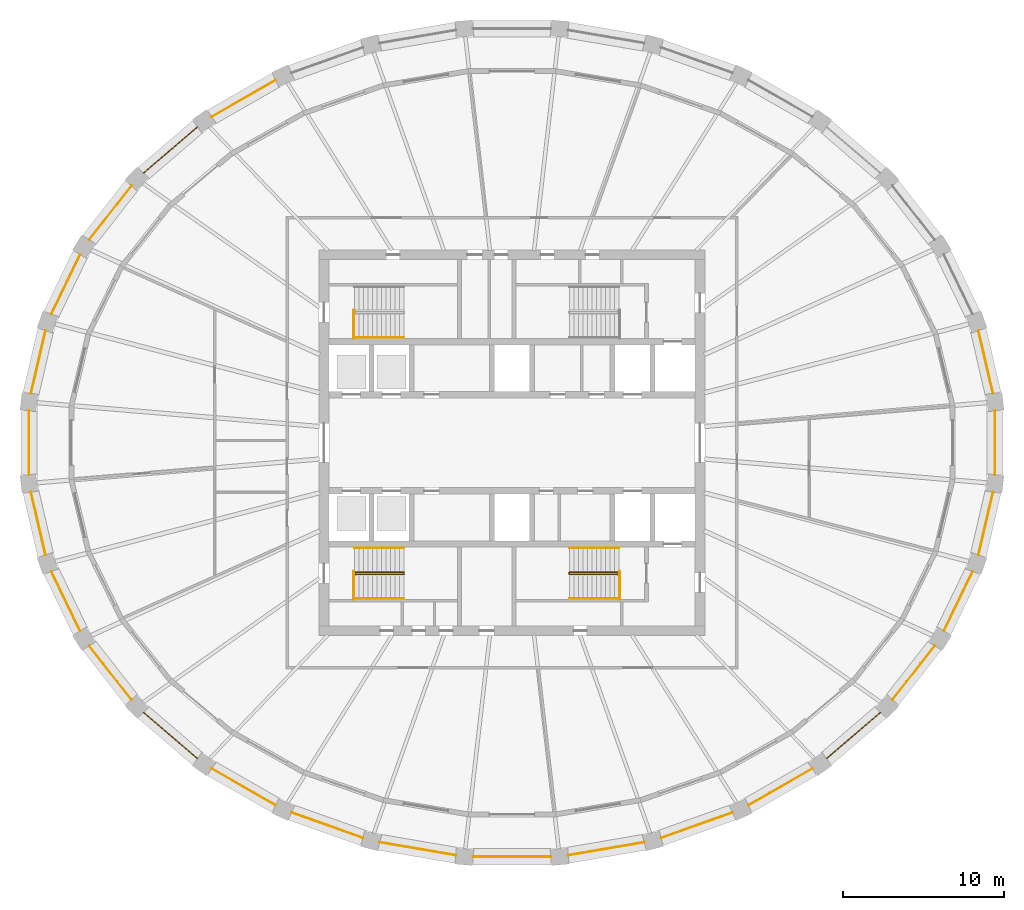
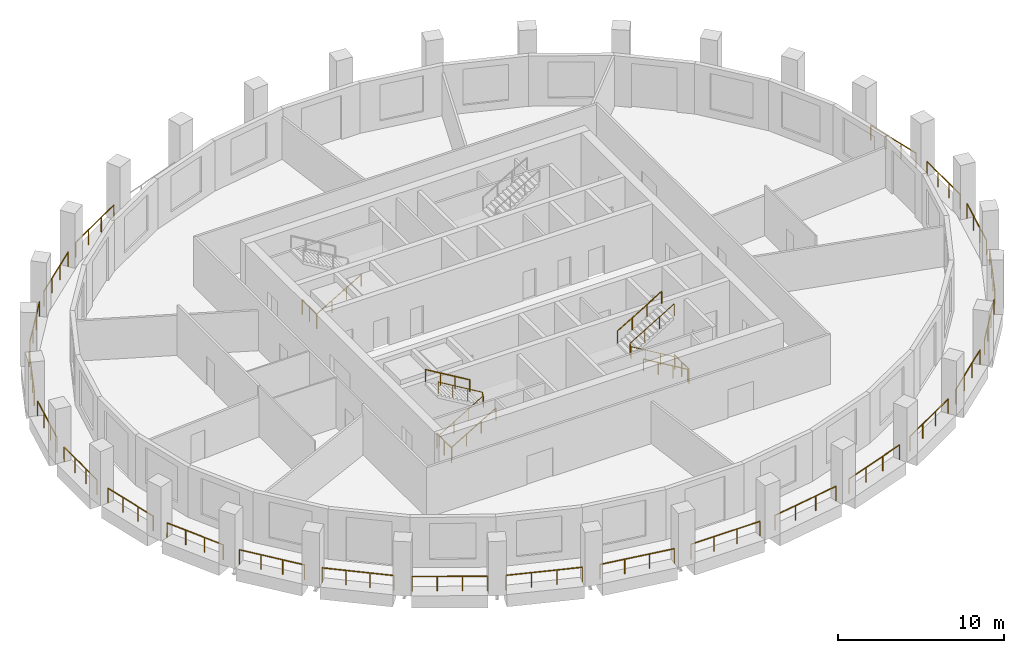
# One storey, part 8 of 10: 33 railings.
"""IFC4 building model written with IfcOpenShell, lengths in metres."""

from ifc_helpers import new_model, si_unit, direction, frame, origin, origin_2d, place, context, subcontext, project, spatial, circle, extrude, material, type_object, element, save


model = new_model("IFC4")

# Units and contexts
model_context = context("Model", 3, precision=1e-05, world=origin(), true_north=direction((0.0, 1.0)))
body_context = subcontext(model_context, "Body", "Model", "MODEL_VIEW")
ifc_project = project(units=[si_unit("LENGTHUNIT", "METRE"), si_unit("AREAUNIT", "SQUARE_METRE"), si_unit("VOLUMEUNIT", "CUBIC_METRE"), si_unit("PLANEANGLEUNIT", "RADIAN"), si_unit("MASSUNIT", "GRAM", prefix="KILO")], contexts=[model_context])

# Site, building, storey
site_placement = place(None, origin())
site = spatial("IfcSite", under=ifc_project, at=site_placement, CompositionType="ELEMENT")
building_placement = place(site_placement, origin())
building = spatial("IfcBuilding", under=site, at=building_placement, Name="Halqa Exchange Tower", CompositionType="ELEMENT")
storey_placement = place(building_placement, frame((0.0, 0.0, 256.300048828125)))
storey = spatial("IfcBuildingStorey", under=building, at=storey_placement, Name="L59", CompositionType="ELEMENT", Elevation=256.300048828125)

# Railings
ifc_material = material(Name="Stainless steel", Category="steel")
railing_type_1 = type_object("IfcRailingType", Name="Guard 1100 stainless steel", PredefinedType="GUARDRAIL", material=ifc_material)
railing_1_placement = place(storey_placement, frame((29.940673828125, 3.073974609375, 0.0)))
element("IfcRailing", 1, at=railing_1_placement, inside=storey, type_object=railing_type_1, Name="Loggia guard 1", PredefinedType="GUARDRAIL", context=body_context, shape_type="SweptSolid", body=[
    extrude(circle(Radius=0.02392578125, at=origin_2d()), frame((0.0, 0.0, 1.076171875), z_axis=(-0.226072980313, 0.974110367244, 0.0), x_axis=(-0.974110367244, -0.226072980313, 0.0)), (0.0, 0.0, 1.0), 4.0107421875),
    extrude(circle(Radius=0.02099609375, at=origin_2d()), origin(), (0.0, 0.0, 1.0), 1.052001953125),
    extrude(circle(Radius=0.02099609375, at=origin_2d()), frame((-0.30224609375, 1.30224609375, 0.0)), (0.0, 0.0, 1.0), 1.052001953125),
    extrude(circle(Radius=0.02099609375, at=origin_2d()), frame((-0.6044921875, 2.604736328125, 0.0)), (0.0, 0.0, 1.0), 1.052001953125),
    extrude(circle(Radius=0.02099609375, at=origin_2d()), frame((-0.90673828125, 3.906982421875, 0.0)), (0.0, 0.0, 1.0), 1.052001953125),
])
railing_2_placement = place(storey_placement, frame((-14.718505859375, 22.563720703125, 0.0)))
element("IfcRailing", 2, at=railing_2_placement, inside=storey, type_object=railing_type_1, Name="Loggia guard 11", PredefinedType="GUARDRAIL", context=body_context, shape_type="SweptSolid", body=[
    extrude(circle(Radius=0.02392578125, at=origin_2d()), frame((0.0, 0.0, 1.076171875), z_axis=(-0.867756640144, -0.496989349469, 0.0), x_axis=(0.496989349469, -0.867756640144, 0.0)), (0.0, 0.0, 1.0), 4.574462890625),
    extrude(circle(Radius=0.02099609375, at=origin_2d()), origin(), (0.0, 0.0, 1.0), 1.052001953125),
    extrude(circle(Radius=0.02099609375, at=origin_2d()), frame((-1.3232421875, -0.7578125, 0.0)), (0.0, 0.0, 1.0), 1.052001953125),
    extrude(circle(Radius=0.02099609375, at=origin_2d()), frame((-2.646240234375, -1.515625, 0.0)), (0.0, 0.0, 1.0), 1.052001953125),
    extrude(circle(Radius=0.02099609375, at=origin_2d()), frame((-3.969482421875, -2.2734375, 0.0)), (0.0, 0.0, 1.0), 1.052001953125),
])
railing_3_placement = place(storey_placement, frame((-19.5830078125, 19.658935546875, 0.0)))
element("IfcRailing", 3, at=railing_3_placement, inside=storey, type_object=railing_type_1, Name="Loggia guard 12", PredefinedType="GUARDRAIL", context=body_context, shape_type="SweptSolid", body=[
    extrude(circle(Radius=0.02392578125, at=origin_2d()), frame((0.0, 0.0, 1.076171875), z_axis=(-0.759240989742, -0.650809587741, 0.0), x_axis=(0.650809587741, -0.759240989742, 0.0)), (0.0, 0.0, 1.0), 4.415283203125),
    extrude(circle(Radius=0.02099609375, at=origin_2d()), origin(), (0.0, 0.0, 1.0), 1.052001953125),
    extrude(circle(Radius=0.02099609375, at=origin_2d()), frame((-1.117431640625, -0.957763671875, 0.0)), (0.0, 0.0, 1.0), 1.052001953125),
    extrude(circle(Radius=0.02099609375, at=origin_2d()), frame((-2.23486328125, -1.915771484375, 0.0)), (0.0, 0.0, 1.0), 1.052001953125),
    extrude(circle(Radius=0.02099609375, at=origin_2d()), frame((-3.352294921875, -2.87353515625, 0.0)), (0.0, 0.0, 1.0), 1.052001953125),
])
railing_4_placement = place(storey_placement, frame((-23.691162109375, 15.99365234375, 0.0)))
element("IfcRailing", 4, at=railing_4_placement, inside=storey, type_object=railing_type_1, Name="Loggia guard 13", PredefinedType="GUARDRAIL", context=body_context, shape_type="SweptSolid", body=[
    extrude(circle(Radius=0.02392578125, at=origin_2d()), frame((0.0, 0.0, 1.076171875), z_axis=(-0.614806859209, -0.788677707223, 0.0), x_axis=(0.788677707223, -0.614806859209, 0.0)), (0.0, 0.0, 1.0), 4.251708984375),
    extrude(circle(Radius=0.02099609375, at=origin_2d()), origin(), (0.0, 0.0, 1.0), 1.052001953125),
    extrude(circle(Radius=0.02099609375, at=origin_2d()), frame((-0.871337890625, -1.11767578125, 0.0)), (0.0, 0.0, 1.0), 1.052001953125),
    extrude(circle(Radius=0.02099609375, at=origin_2d()), frame((-1.74267578125, -2.235595703125, 0.0)), (0.0, 0.0, 1.0), 1.052001953125),
    extrude(circle(Radius=0.02099609375, at=origin_2d()), frame((-2.614013671875, -3.353271484375, 0.0)), (0.0, 0.0, 1.0), 1.052001953125),
])
railing_5_placement = place(storey_placement, frame((-26.882568359375, 11.71142578125, 0.0)))
element("IfcRailing", 5, at=railing_5_placement, inside=storey, type_object=railing_type_1, Name="Loggia guard 14", PredefinedType="GUARDRAIL", context=body_context, shape_type="SweptSolid", body=[
    extrude(circle(Radius=0.02392578125, at=origin_2d()), frame((0.0, 0.0, 1.076171875), z_axis=(-0.435122901851, -0.900371068107, 0.0), x_axis=(0.900371068107, -0.435122901851, 0.0)), (0.0, 0.0, 1.0), 4.10888671875),
    extrude(circle(Radius=0.02099609375, at=origin_2d()), origin(), (0.0, 0.0, 1.0), 1.052001953125),
    extrude(circle(Radius=0.02099609375, at=origin_2d()), frame((-0.595947265625, -1.233154296875, 0.0)), (0.0, 0.0, 1.0), 1.052001953125),
    extrude(circle(Radius=0.02099609375, at=origin_2d()), frame((-1.19189453125, -2.46630859375, 0.0)), (0.0, 0.0, 1.0), 1.052001953125),
    extrude(circle(Radius=0.02099609375, at=origin_2d()), frame((-1.787841796875, -3.699462890625, 0.0)), (0.0, 0.0, 1.0), 1.052001953125),
])
railing_6_placement = place(storey_placement, frame((-29.033935546875, 6.98095703125, 0.0)))
element("IfcRailing", 6, at=railing_6_placement, inside=storey, type_object=railing_type_1, Name="Loggia guard 15", PredefinedType="GUARDRAIL", context=body_context, shape_type="SweptSolid", body=[
    extrude(circle(Radius=0.02392578125, at=origin_2d()), frame((0.0, 0.0, 1.076171875), z_axis=(-0.226072980313, -0.974110367244, 0.0), x_axis=(0.974110367244, -0.226072980313, 0.0)), (0.0, 0.0, 1.0), 4.0107421875),
    extrude(circle(Radius=0.02099609375, at=origin_2d()), origin(), (0.0, 0.0, 1.0), 1.052001953125),
    extrude(circle(Radius=0.02099609375, at=origin_2d()), frame((-0.30224609375, -1.30224609375, 0.0)), (0.0, 0.0, 1.0), 1.052001953125),
    extrude(circle(Radius=0.02099609375, at=origin_2d()), frame((-0.6044921875, -2.604736328125, 0.0)), (0.0, 0.0, 1.0), 1.052001953125),
    extrude(circle(Radius=0.02099609375, at=origin_2d()), frame((-0.90673828125, -3.906982421875, 0.0)), (0.0, 0.0, 1.0), 1.052001953125),
])
railing_7_placement = place(storey_placement, frame((-30.06494140625, 1.988037109375, 0.0)))
element("IfcRailing", 7, at=railing_7_placement, inside=storey, type_object=railing_type_1, Name="Loggia guard 16", PredefinedType="GUARDRAIL", context=body_context, shape_type="SweptSolid", body=[
    extrude(circle(Radius=0.02392578125, at=origin_2d()), frame((0.0, 0.0, 1.076171875), z_axis=(0.0, -1.0, 0.0), x_axis=(1.0, 0.0, 0.0)), (0.0, 0.0, 1.0), 3.97607421875),
    extrude(circle(Radius=0.02099609375, at=origin_2d()), origin(), (0.0, 0.0, 1.0), 1.052001953125),
    extrude(circle(Radius=0.02099609375, at=origin_2d()), frame((0.0, -1.325439453125, 0.0)), (0.0, 0.0, 1.0), 1.052001953125),
    extrude(circle(Radius=0.02099609375, at=origin_2d()), frame((0.0, -2.650634765625, 0.0)), (0.0, 0.0, 1.0), 1.052001953125),
    extrude(circle(Radius=0.02099609375, at=origin_2d()), frame((0.0, -3.97607421875, 0.0)), (0.0, 0.0, 1.0), 1.052001953125),
])
railing_8_placement = place(storey_placement, frame((-29.940673828125, -3.073974609375, 0.0)))
element("IfcRailing", 8, at=railing_8_placement, inside=storey, type_object=railing_type_1, Name="Loggia guard 17", PredefinedType="GUARDRAIL", context=body_context, shape_type="SweptSolid", body=[
    extrude(circle(Radius=0.02392578125, at=origin_2d()), frame((0.0, 0.0, 1.076171875), z_axis=(0.226072980313, -0.974110367244, 0.0), x_axis=(0.974110367244, 0.226072980313, 0.0)), (0.0, 0.0, 1.0), 4.0107421875),
    extrude(circle(Radius=0.02099609375, at=origin_2d()), origin(), (0.0, 0.0, 1.0), 1.052001953125),
    extrude(circle(Radius=0.02099609375, at=origin_2d()), frame((0.30224609375, -1.30224609375, 0.0)), (0.0, 0.0, 1.0), 1.052001953125),
    extrude(circle(Radius=0.02099609375, at=origin_2d()), frame((0.6044921875, -2.604736328125, 0.0)), (0.0, 0.0, 1.0), 1.052001953125),
    extrude(circle(Radius=0.02099609375, at=origin_2d()), frame((0.90673828125, -3.906982421875, 0.0)), (0.0, 0.0, 1.0), 1.052001953125),
])
railing_9_placement = place(storey_placement, frame((-28.67041015625, -8.011962890625, 0.0)))
element("IfcRailing", 9, at=railing_9_placement, inside=storey, type_object=railing_type_1, Name="Loggia guard 18", PredefinedType="GUARDRAIL", context=body_context, shape_type="SweptSolid", body=[
    extrude(circle(Radius=0.02392578125, at=origin_2d()), frame((0.0, 0.0, 1.076171875), z_axis=(0.435122901851, -0.900371068107, 0.0), x_axis=(0.900371068107, 0.435122901851, 0.0)), (0.0, 0.0, 1.0), 4.10888671875),
    extrude(circle(Radius=0.02099609375, at=origin_2d()), origin(), (0.0, 0.0, 1.0), 1.052001953125),
    extrude(circle(Radius=0.02099609375, at=origin_2d()), frame((0.595947265625, -1.233154296875, 0.0)), (0.0, 0.0, 1.0), 1.052001953125),
    extrude(circle(Radius=0.02099609375, at=origin_2d()), frame((1.19189453125, -2.46630859375, 0.0)), (0.0, 0.0, 1.0), 1.052001953125),
    extrude(circle(Radius=0.02099609375, at=origin_2d()), frame((1.787841796875, -3.699462890625, 0.0)), (0.0, 0.0, 1.0), 1.052001953125),
])
railing_10_placement = place(storey_placement, frame((-26.30517578125, -12.640380859375, 0.0)))
element("IfcRailing", 10, at=railing_10_placement, inside=storey, type_object=railing_type_1, Name="Loggia guard 19", PredefinedType="GUARDRAIL", context=body_context, shape_type="SweptSolid", body=[
    extrude(circle(Radius=0.02392578125, at=origin_2d()), frame((0.0, 0.0, 1.076171875), z_axis=(0.614806859209, -0.788677707223, 0.0), x_axis=(0.788677707223, 0.614806859209, 0.0)), (0.0, 0.0, 1.0), 4.251708984375),
    extrude(circle(Radius=0.02099609375, at=origin_2d()), origin(), (0.0, 0.0, 1.0), 1.052001953125),
    extrude(circle(Radius=0.02099609375, at=origin_2d()), frame((0.871337890625, -1.11767578125, 0.0)), (0.0, 0.0, 1.0), 1.052001953125),
    extrude(circle(Radius=0.02099609375, at=origin_2d()), frame((1.74267578125, -2.235595703125, 0.0)), (0.0, 0.0, 1.0), 1.052001953125),
    extrude(circle(Radius=0.02099609375, at=origin_2d()), frame((2.614013671875, -3.353271484375, 0.0)), (0.0, 0.0, 1.0), 1.052001953125),
])
railing_11_placement = place(storey_placement, frame((-22.935302734375, -16.785400390625, 0.0)))
element("IfcRailing", 11, at=railing_11_placement, inside=storey, type_object=railing_type_1, Name="Loggia guard 20", PredefinedType="GUARDRAIL", context=body_context, shape_type="SweptSolid", body=[
    extrude(circle(Radius=0.02392578125, at=origin_2d()), frame((0.0, 0.0, 1.076171875), z_axis=(0.759240989742, -0.650809587741, 0.0), x_axis=(0.650809587741, 0.759240989742, 0.0)), (0.0, 0.0, 1.0), 4.415283203125),
    extrude(circle(Radius=0.02099609375, at=origin_2d()), origin(), (0.0, 0.0, 1.0), 1.052001953125),
    extrude(circle(Radius=0.02099609375, at=origin_2d()), frame((1.117431640625, -0.957763671875, 0.0)), (0.0, 0.0, 1.0), 1.052001953125),
    extrude(circle(Radius=0.02099609375, at=origin_2d()), frame((2.23486328125, -1.915771484375, 0.0)), (0.0, 0.0, 1.0), 1.052001953125),
    extrude(circle(Radius=0.02099609375, at=origin_2d()), frame((3.352294921875, -2.87353515625, 0.0)), (0.0, 0.0, 1.0), 1.052001953125),
])
railing_12_placement = place(storey_placement, frame((-18.68798828125, -20.290283203125, 0.0)))
element("IfcRailing", 12, at=railing_12_placement, inside=storey, type_object=railing_type_1, Name="Loggia guard 21", PredefinedType="GUARDRAIL", context=body_context, shape_type="SweptSolid", body=[
    extrude(circle(Radius=0.02392578125, at=origin_2d()), frame((0.0, 0.0, 1.076171875), z_axis=(0.867756640144, -0.496989349469, 0.0), x_axis=(0.496989349469, 0.867756640144, 0.0)), (0.0, 0.0, 1.0), 4.574462890625),
    extrude(circle(Radius=0.02099609375, at=origin_2d()), origin(), (0.0, 0.0, 1.0), 1.052001953125),
    extrude(circle(Radius=0.02099609375, at=origin_2d()), frame((1.3232421875, -0.7578125, 0.0)), (0.0, 0.0, 1.0), 1.052001953125),
    extrude(circle(Radius=0.02099609375, at=origin_2d()), frame((2.646240234375, -1.515625, 0.0)), (0.0, 0.0, 1.0), 1.052001953125),
    extrude(circle(Radius=0.02099609375, at=origin_2d()), frame((3.969482421875, -2.2734375, 0.0)), (0.0, 0.0, 1.0), 1.052001953125),
])
railing_13_placement = place(storey_placement, frame((-13.722900390625, -23.02099609375, 0.0)))
element("IfcRailing", 13, at=railing_13_placement, inside=storey, type_object=railing_type_1, Name="Loggia guard 22", PredefinedType="GUARDRAIL", context=body_context, shape_type="SweptSolid", body=[
    extrude(circle(Radius=0.02392578125, at=origin_2d()), frame((0.0, 0.0, 1.076171875), z_axis=(0.942362332285, -0.334594134275, 0.0), x_axis=(0.334594134275, 0.942362332285, 0.0)), (0.0, 0.0, 1.0), 4.706298828125),
    extrude(circle(Radius=0.02099609375, at=origin_2d()), origin(), (0.0, 0.0, 1.0), 1.052001953125),
    extrude(circle(Radius=0.02099609375, at=origin_2d()), frame((1.478271484375, -0.52490234375, 0.0)), (0.0, 0.0, 1.0), 1.052001953125),
    extrude(circle(Radius=0.02099609375, at=origin_2d()), frame((2.956787109375, -1.0498046875, 0.0)), (0.0, 0.0, 1.0), 1.052001953125),
    extrude(circle(Radius=0.02099609375, at=origin_2d()), frame((4.43505859375, -1.57470703125, 0.0)), (0.0, 0.0, 1.0), 1.052001953125),
])
railing_14_placement = place(storey_placement, frame((-8.227294921875, -24.8720703125, 0.0)))
element("IfcRailing", 14, at=railing_14_placement, inside=storey, type_object=railing_type_1, Name="Loggia guard 23", PredefinedType="GUARDRAIL", context=body_context, shape_type="SweptSolid", body=[
    extrude(circle(Radius=0.02392578125, at=origin_2d()), frame((0.0, 0.0, 1.076171875), z_axis=(0.98577433099, -0.168074294172, 0.0), x_axis=(0.168074294172, 0.98577433099, 0.0)), (0.0, 0.0, 1.0), 4.7919921875),
    extrude(circle(Radius=0.02099609375, at=origin_2d()), origin(), (0.0, 0.0, 1.0), 1.052001953125),
    extrude(circle(Radius=0.02099609375, at=origin_2d()), frame((1.57470703125, -0.2685546875, 0.0)), (0.0, 0.0, 1.0), 1.052001953125),
    extrude(circle(Radius=0.02099609375, at=origin_2d()), frame((3.149169921875, -0.536865234375, 0.0)), (0.0, 0.0, 1.0), 1.052001953125),
    extrude(circle(Radius=0.02099609375, at=origin_2d()), frame((4.723876953125, -0.805419921875, 0.0)), (0.0, 0.0, 1.0), 1.052001953125),
])
railing_15_placement = place(storey_placement, frame((-2.4111328125, -25.77001953125, 0.0)))
element("IfcRailing", 15, at=railing_15_placement, inside=storey, type_object=railing_type_1, Name="Loggia guard 24", PredefinedType="GUARDRAIL", context=body_context, shape_type="SweptSolid", body=[
    extrude(circle(Radius=0.02392578125, at=origin_2d()), frame((0.0, 0.0, 1.076171875), z_axis=(1.0, 0.0, 0.0), x_axis=(0.0, 1.0, 0.0)), (0.0, 0.0, 1.0), 4.822265625),
    extrude(circle(Radius=0.02099609375, at=origin_2d()), origin(), (0.0, 0.0, 1.0), 1.052001953125),
    extrude(circle(Radius=0.02099609375, at=origin_2d()), frame((1.607421875, 0.0, 0.0)), (0.0, 0.0, 1.0), 1.052001953125),
    extrude(circle(Radius=0.02099609375, at=origin_2d()), frame((3.21484375, 0.0, 0.0)), (0.0, 0.0, 1.0), 1.052001953125),
    extrude(circle(Radius=0.02099609375, at=origin_2d()), frame((4.822265625, 0.0, 0.0)), (0.0, 0.0, 1.0), 1.052001953125),
])
railing_16_placement = place(storey_placement, frame((3.50341796875, -25.677490234375, 0.0)))
element("IfcRailing", 16, at=railing_16_placement, inside=storey, type_object=railing_type_1, Name="Loggia guard 25", PredefinedType="GUARDRAIL", context=body_context, shape_type="SweptSolid", body=[
    extrude(circle(Radius=0.02392578125, at=origin_2d()), frame((0.0, 0.0, 1.076171875), z_axis=(0.98577433099, 0.168074294172, 0.0), x_axis=(-0.168074294172, 0.98577433099, 0.0)), (0.0, 0.0, 1.0), 4.7919921875),
    extrude(circle(Radius=0.02099609375, at=origin_2d()), origin(), (0.0, 0.0, 1.0), 1.052001953125),
    extrude(circle(Radius=0.02099609375, at=origin_2d()), frame((1.57470703125, 0.2685546875, 0.0)), (0.0, 0.0, 1.0), 1.052001953125),
    extrude(circle(Radius=0.02099609375, at=origin_2d()), frame((3.149169921875, 0.536865234375, 0.0)), (0.0, 0.0, 1.0), 1.052001953125),
    extrude(circle(Radius=0.02099609375, at=origin_2d()), frame((4.723876953125, 0.805419921875, 0.0)), (0.0, 0.0, 1.0), 1.052001953125),
])
railing_17_placement = place(storey_placement, frame((9.287841796875, -24.595703125, 0.0)))
element("IfcRailing", 17, at=railing_17_placement, inside=storey, type_object=railing_type_1, Name="Loggia guard 26", PredefinedType="GUARDRAIL", context=body_context, shape_type="SweptSolid", body=[
    extrude(circle(Radius=0.02392578125, at=origin_2d()), frame((0.0, 0.0, 1.076171875), z_axis=(0.942362332285, 0.334594134275, 0.0), x_axis=(-0.334594134275, 0.942362332285, 0.0)), (0.0, 0.0, 1.0), 4.706298828125),
    extrude(circle(Radius=0.02099609375, at=origin_2d()), origin(), (0.0, 0.0, 1.0), 1.052001953125),
    extrude(circle(Radius=0.02099609375, at=origin_2d()), frame((1.478271484375, 0.52490234375, 0.0)), (0.0, 0.0, 1.0), 1.052001953125),
    extrude(circle(Radius=0.02099609375, at=origin_2d()), frame((2.956787109375, 1.0498046875, 0.0)), (0.0, 0.0, 1.0), 1.052001953125),
    extrude(circle(Radius=0.02099609375, at=origin_2d()), frame((4.43505859375, 1.57470703125, 0.0)), (0.0, 0.0, 1.0), 1.052001953125),
])
railing_18_placement = place(storey_placement, frame((14.718505859375, -22.563720703125, 0.0)))
element("IfcRailing", 18, at=railing_18_placement, inside=storey, type_object=railing_type_1, Name="Loggia guard 27", PredefinedType="GUARDRAIL", context=body_context, shape_type="SweptSolid", body=[
    extrude(circle(Radius=0.02392578125, at=origin_2d()), frame((0.0, 0.0, 1.076171875), z_axis=(0.867756640144, 0.496989349469, 0.0), x_axis=(-0.496989349469, 0.867756640144, 0.0)), (0.0, 0.0, 1.0), 4.574462890625),
    extrude(circle(Radius=0.02099609375, at=origin_2d()), origin(), (0.0, 0.0, 1.0), 1.052001953125),
    extrude(circle(Radius=0.02099609375, at=origin_2d()), frame((1.3232421875, 0.7578125, 0.0)), (0.0, 0.0, 1.0), 1.052001953125),
    extrude(circle(Radius=0.02099609375, at=origin_2d()), frame((2.646240234375, 1.515625, 0.0)), (0.0, 0.0, 1.0), 1.052001953125),
    extrude(circle(Radius=0.02099609375, at=origin_2d()), frame((3.969482421875, 2.2734375, 0.0)), (0.0, 0.0, 1.0), 1.052001953125),
])
railing_19_placement = place(storey_placement, frame((19.5830078125, -19.658935546875, 0.0)))
element("IfcRailing", 19, at=railing_19_placement, inside=storey, type_object=railing_type_1, Name="Loggia guard 28", PredefinedType="GUARDRAIL", context=body_context, shape_type="SweptSolid", body=[
    extrude(circle(Radius=0.02392578125, at=origin_2d()), frame((0.0, 0.0, 1.076171875), z_axis=(0.759240989742, 0.650809587741, 0.0), x_axis=(-0.650809587741, 0.759240989742, 0.0)), (0.0, 0.0, 1.0), 4.415283203125),
    extrude(circle(Radius=0.02099609375, at=origin_2d()), origin(), (0.0, 0.0, 1.0), 1.052001953125),
    extrude(circle(Radius=0.02099609375, at=origin_2d()), frame((1.117431640625, 0.957763671875, 0.0)), (0.0, 0.0, 1.0), 1.052001953125),
    extrude(circle(Radius=0.02099609375, at=origin_2d()), frame((2.23486328125, 1.915771484375, 0.0)), (0.0, 0.0, 1.0), 1.052001953125),
    extrude(circle(Radius=0.02099609375, at=origin_2d()), frame((3.352294921875, 2.87353515625, 0.0)), (0.0, 0.0, 1.0), 1.052001953125),
])
railing_20_placement = place(storey_placement, frame((23.691162109375, -15.99365234375, 0.0)))
element("IfcRailing", 20, at=railing_20_placement, inside=storey, type_object=railing_type_1, Name="Loggia guard 29", PredefinedType="GUARDRAIL", context=body_context, shape_type="SweptSolid", body=[
    extrude(circle(Radius=0.02392578125, at=origin_2d()), frame((0.0, 0.0, 1.076171875), z_axis=(0.614806859209, 0.788677707223, 0.0), x_axis=(-0.788677707223, 0.614806859209, 0.0)), (0.0, 0.0, 1.0), 4.251708984375),
    extrude(circle(Radius=0.02099609375, at=origin_2d()), origin(), (0.0, 0.0, 1.0), 1.052001953125),
    extrude(circle(Radius=0.02099609375, at=origin_2d()), frame((0.871337890625, 1.11767578125, 0.0)), (0.0, 0.0, 1.0), 1.052001953125),
    extrude(circle(Radius=0.02099609375, at=origin_2d()), frame((1.74267578125, 2.235595703125, 0.0)), (0.0, 0.0, 1.0), 1.052001953125),
    extrude(circle(Radius=0.02099609375, at=origin_2d()), frame((2.614013671875, 3.353271484375, 0.0)), (0.0, 0.0, 1.0), 1.052001953125),
])
railing_21_placement = place(storey_placement, frame((26.882568359375, -11.71142578125, 0.0)))
element("IfcRailing", 21, at=railing_21_placement, inside=storey, type_object=railing_type_1, Name="Loggia guard 30", PredefinedType="GUARDRAIL", context=body_context, shape_type="SweptSolid", body=[
    extrude(circle(Radius=0.02392578125, at=origin_2d()), frame((0.0, 0.0, 1.076171875), z_axis=(0.435122901851, 0.900371068107, 0.0), x_axis=(-0.900371068107, 0.435122901851, 0.0)), (0.0, 0.0, 1.0), 4.10888671875),
    extrude(circle(Radius=0.02099609375, at=origin_2d()), origin(), (0.0, 0.0, 1.0), 1.052001953125),
    extrude(circle(Radius=0.02099609375, at=origin_2d()), frame((0.595947265625, 1.233154296875, 0.0)), (0.0, 0.0, 1.0), 1.052001953125),
    extrude(circle(Radius=0.02099609375, at=origin_2d()), frame((1.19189453125, 2.46630859375, 0.0)), (0.0, 0.0, 1.0), 1.052001953125),
    extrude(circle(Radius=0.02099609375, at=origin_2d()), frame((1.787841796875, 3.699462890625, 0.0)), (0.0, 0.0, 1.0), 1.052001953125),
])
railing_22_placement = place(storey_placement, frame((29.033935546875, -6.98095703125, 0.0)))
element("IfcRailing", 22, at=railing_22_placement, inside=storey, type_object=railing_type_1, Name="Loggia guard 31", PredefinedType="GUARDRAIL", context=body_context, shape_type="SweptSolid", body=[
    extrude(circle(Radius=0.02392578125, at=origin_2d()), frame((0.0, 0.0, 1.076171875), z_axis=(0.226072980313, 0.974110367244, 0.0), x_axis=(-0.974110367244, 0.226072980313, 0.0)), (0.0, 0.0, 1.0), 4.0107421875),
    extrude(circle(Radius=0.02099609375, at=origin_2d()), origin(), (0.0, 0.0, 1.0), 1.052001953125),
    extrude(circle(Radius=0.02099609375, at=origin_2d()), frame((0.30224609375, 1.30224609375, 0.0)), (0.0, 0.0, 1.0), 1.052001953125),
    extrude(circle(Radius=0.02099609375, at=origin_2d()), frame((0.6044921875, 2.604736328125, 0.0)), (0.0, 0.0, 1.0), 1.052001953125),
    extrude(circle(Radius=0.02099609375, at=origin_2d()), frame((0.90673828125, 3.906982421875, 0.0)), (0.0, 0.0, 1.0), 1.052001953125),
])
railing_23_placement = place(storey_placement, frame((30.06494140625, -1.988037109375, 0.0)))
element("IfcRailing", 23, at=railing_23_placement, inside=storey, type_object=railing_type_1, Name="Loggia guard 32", PredefinedType="GUARDRAIL", context=body_context, shape_type="SweptSolid", body=[
    extrude(circle(Radius=0.02392578125, at=origin_2d()), frame((0.0, 0.0, 1.076171875), z_axis=(0.0, 1.0, 0.0), x_axis=(-1.0, 0.0, 0.0)), (0.0, 0.0, 1.0), 3.97607421875),
    extrude(circle(Radius=0.02099609375, at=origin_2d()), origin(), (0.0, 0.0, 1.0), 1.052001953125),
    extrude(circle(Radius=0.02099609375, at=origin_2d()), frame((0.0, 1.325439453125, 0.0)), (0.0, 0.0, 1.0), 1.052001953125),
    extrude(circle(Radius=0.02099609375, at=origin_2d()), frame((0.0, 2.650634765625, 0.0)), (0.0, 0.0, 1.0), 1.052001953125),
    extrude(circle(Radius=0.02099609375, at=origin_2d()), frame((0.0, 3.97607421875, 0.0)), (0.0, 0.0, 1.0), 1.052001953125),
])
railing_type_2 = type_object("IfcRailingType", Name="Stair handrail 900", PredefinedType="HANDRAIL", material=ifc_material)
railing_24_placement = place(storey_placement, frame((-9.800048828125, 6.550048828125, 0.166748046875)))
element("IfcRailing", 24, at=railing_24_placement, inside=storey, type_object=railing_type_2, Name="Handrail ST1.2", PredefinedType="HANDRAIL", context=body_context, shape_type="SweptSolid", body=[
    extrude(circle(Radius=0.02392578125, at=origin_2d()), frame((0.0, 0.0, 0.8759765625), z_axis=(0.859308565015, 0.0, 0.511457515432), x_axis=(0.0, 1.0, 0.0)), (0.0, 0.0, 1.0), 3.58447265625),
    extrude(circle(Radius=0.02099609375, at=origin_2d()), origin(), (0.0, 0.0, 1.0), 0.851806640625),
    extrude(circle(Radius=0.02099609375, at=origin_2d()), frame((1.026611328125, 0.0, 0.611083984375)), (0.0, 0.0, 1.0), 0.851806640625),
    extrude(circle(Radius=0.02099609375, at=origin_2d()), frame((2.053466796875, 0.0, 1.22216796875)), (0.0, 0.0, 1.0), 0.851806640625),
    extrude(circle(Radius=0.02099609375, at=origin_2d()), frame((3.080078125, 0.0, 1.833251953125)), (0.0, 0.0, 1.0), 0.851806640625),
])
railing_25_placement = place(storey_placement, frame((-9.800048828125, -8.18994140625, 0.166748046875)))
element("IfcRailing", 25, at=railing_25_placement, inside=storey, type_object=railing_type_2, Name="Handrail ST3.1", PredefinedType="HANDRAIL", context=body_context, shape_type="SweptSolid", body=[
    extrude(circle(Radius=0.02392578125, at=origin_2d()), frame((0.0, 0.0, 0.8759765625), z_axis=(0.859308565015, 0.0, 0.511457515432), x_axis=(0.0, 1.0, 0.0)), (0.0, 0.0, 1.0), 3.58447265625),
    extrude(circle(Radius=0.02392578125, at=origin_2d()), frame((3.080078125, 0.0, 2.708984375), z_axis=(0.0, 0.614500226555, 0.788916644243), x_axis=(-1.0, 0.0, 0.0)), (0.0, 0.0, 1.0), 0.21142578125),
    extrude(circle(Radius=0.02392578125, at=origin_2d()), frame((3.080078125, 0.1298828125, 2.8759765625), z_axis=(-0.859308565015, 0.0, 0.511457515432), x_axis=(0.0, -1.0, 0.0)), (0.0, 0.0, 1.0), 3.58447265625),
    extrude(circle(Radius=0.02099609375, at=origin_2d()), origin(), (0.0, 0.0, 1.0), 0.851806640625),
    extrude(circle(Radius=0.02099609375, at=origin_2d()), frame((1.026611328125, 0.0, 0.611083984375)), (0.0, 0.0, 1.0), 0.851806640625),
    extrude(circle(Radius=0.02099609375, at=origin_2d()), frame((2.053466796875, 0.0, 1.22216796875)), (0.0, 0.0, 1.0), 0.851806640625),
    extrude(circle(Radius=0.02099609375, at=origin_2d()), frame((3.080078125, 0.0, 1.833251953125)), (0.0, 0.0, 1.0), 0.851806640625),
    extrude(circle(Radius=0.02099609375, at=origin_2d()), frame((3.080078125, 0.1298828125, 2.0)), (0.0, 0.0, 1.0), 0.851806640625),
    extrude(circle(Radius=0.02099609375, at=origin_2d()), frame((2.053466796875, 0.1298828125, 2.611083984375)), (0.0, 0.0, 1.0), 0.851806640625),
    extrude(circle(Radius=0.02099609375, at=origin_2d()), frame((1.026611328125, 0.1298828125, 3.22216796875)), (0.0, 0.0, 1.0), 0.851806640625),
    extrude(circle(Radius=0.02099609375, at=origin_2d()), frame((0.0, 0.1298828125, 3.833251953125)), (0.0, 0.0, 1.0), 0.851806640625),
])
railing_26_placement = place(storey_placement, frame((-9.800048828125, -9.699951171875, 0.166748046875)))
element("IfcRailing", 26, at=railing_26_placement, inside=storey, type_object=railing_type_2, Name="Handrail ST3.2", PredefinedType="HANDRAIL", context=body_context, shape_type="SweptSolid", body=[
    extrude(circle(Radius=0.02392578125, at=origin_2d()), frame((0.0, 0.0, 0.8759765625), z_axis=(0.859308565015, 0.0, 0.511457515432), x_axis=(0.0, 1.0, 0.0)), (0.0, 0.0, 1.0), 3.58447265625),
    extrude(circle(Radius=0.02099609375, at=origin_2d()), origin(), (0.0, 0.0, 1.0), 0.851806640625),
    extrude(circle(Radius=0.02099609375, at=origin_2d()), frame((1.026611328125, 0.0, 0.611083984375)), (0.0, 0.0, 1.0), 0.851806640625),
    extrude(circle(Radius=0.02099609375, at=origin_2d()), frame((2.053466796875, 0.0, 1.22216796875)), (0.0, 0.0, 1.0), 0.851806640625),
    extrude(circle(Radius=0.02099609375, at=origin_2d()), frame((3.080078125, 0.0, 1.833251953125)), (0.0, 0.0, 1.0), 0.851806640625),
])
railing_27_placement = place(storey_placement, frame((-6.719970703125, -6.550048828125, 2.166748046875)))
element("IfcRailing", 27, at=railing_27_placement, inside=storey, type_object=railing_type_2, Name="Handrail ST3.3", PredefinedType="HANDRAIL", context=body_context, shape_type="SweptSolid", body=[
    extrude(circle(Radius=0.02392578125, at=origin_2d()), frame((0.0, 0.0, 0.8759765625), z_axis=(-0.859308565015, 0.0, 0.511457515432), x_axis=(0.0, -1.0, 0.0)), (0.0, 0.0, 1.0), 3.58447265625),
    extrude(circle(Radius=0.02099609375, at=origin_2d()), origin(), (0.0, 0.0, 1.0), 0.851806640625),
    extrude(circle(Radius=0.02099609375, at=origin_2d()), frame((-1.026611328125, 0.0, 0.611083984375)), (0.0, 0.0, 1.0), 0.851806640625),
    extrude(circle(Radius=0.02099609375, at=origin_2d()), frame((-2.053466796875, 0.0, 1.22216796875)), (0.0, 0.0, 1.0), 0.851806640625),
    extrude(circle(Radius=0.02099609375, at=origin_2d()), frame((-3.080078125, 0.0, 1.833251953125)), (0.0, 0.0, 1.0), 0.851806640625),
])
railing_28_placement = place(storey_placement, frame((6.64990234375, -8.18994140625, 0.166748046875)))
element("IfcRailing", 28, at=railing_28_placement, inside=storey, type_object=railing_type_2, Name="Handrail ST4.1", PredefinedType="HANDRAIL", context=body_context, shape_type="SweptSolid", body=[
    extrude(circle(Radius=0.02392578125, at=origin_2d()), frame((0.0, 0.0, 0.8759765625), z_axis=(-0.859290745958, 0.0, 0.51148745235), x_axis=(0.0, -1.0, 0.0)), (0.0, 0.0, 1.0), 3.584228515625),
    extrude(circle(Radius=0.02392578125, at=origin_2d()), frame((-3.079833984375, 0.0, 2.708984375), z_axis=(0.0, 0.614500226555, 0.788916644243), x_axis=(-1.0, 0.0, 0.0)), (0.0, 0.0, 1.0), 0.21142578125),
    extrude(circle(Radius=0.02392578125, at=origin_2d()), frame((-3.079833984375, 0.1298828125, 2.8759765625), z_axis=(0.859290745958, 0.0, 0.51148745235), x_axis=(0.0, 1.0, 0.0)), (0.0, 0.0, 1.0), 3.584228515625),
    extrude(circle(Radius=0.02099609375, at=origin_2d()), origin(), (0.0, 0.0, 1.0), 0.851806640625),
    extrude(circle(Radius=0.02099609375, at=origin_2d()), frame((-1.026611328125, 0.0, 0.611083984375)), (0.0, 0.0, 1.0), 0.851806640625),
    extrude(circle(Radius=0.02099609375, at=origin_2d()), frame((-2.05322265625, 0.0, 1.22216796875)), (0.0, 0.0, 1.0), 0.851806640625),
    extrude(circle(Radius=0.02099609375, at=origin_2d()), frame((-3.079833984375, 0.0, 1.833251953125)), (0.0, 0.0, 1.0), 0.851806640625),
    extrude(circle(Radius=0.02099609375, at=origin_2d()), frame((-3.079833984375, 0.1298828125, 2.0)), (0.0, 0.0, 1.0), 0.851806640625),
    extrude(circle(Radius=0.02099609375, at=origin_2d()), frame((-2.05322265625, 0.1298828125, 2.611083984375)), (0.0, 0.0, 1.0), 0.851806640625),
    extrude(circle(Radius=0.02099609375, at=origin_2d()), frame((-1.026611328125, 0.1298828125, 3.22216796875)), (0.0, 0.0, 1.0), 0.851806640625),
    extrude(circle(Radius=0.02099609375, at=origin_2d()), frame((0.0, 0.1298828125, 3.833251953125)), (0.0, 0.0, 1.0), 0.851806640625),
])
railing_29_placement = place(storey_placement, frame((6.64990234375, -9.699951171875, 0.166748046875)))
element("IfcRailing", 29, at=railing_29_placement, inside=storey, type_object=railing_type_2, Name="Handrail ST4.2", PredefinedType="HANDRAIL", context=body_context, shape_type="SweptSolid", body=[
    extrude(circle(Radius=0.02392578125, at=origin_2d()), frame((0.0, 0.0, 0.8759765625), z_axis=(-0.859290745958, 0.0, 0.51148745235), x_axis=(0.0, -1.0, 0.0)), (0.0, 0.0, 1.0), 3.584228515625),
    extrude(circle(Radius=0.02099609375, at=origin_2d()), origin(), (0.0, 0.0, 1.0), 0.851806640625),
    extrude(circle(Radius=0.02099609375, at=origin_2d()), frame((-1.026611328125, 0.0, 0.611083984375)), (0.0, 0.0, 1.0), 0.851806640625),
    extrude(circle(Radius=0.02099609375, at=origin_2d()), frame((-2.05322265625, 0.0, 1.22216796875)), (0.0, 0.0, 1.0), 0.851806640625),
    extrude(circle(Radius=0.02099609375, at=origin_2d()), frame((-3.079833984375, 0.0, 1.833251953125)), (0.0, 0.0, 1.0), 0.851806640625),
])
railing_30_placement = place(storey_placement, frame((3.570068359375, -6.550048828125, 2.166748046875)))
element("IfcRailing", 30, at=railing_30_placement, inside=storey, type_object=railing_type_2, Name="Handrail ST4.3", PredefinedType="HANDRAIL", context=body_context, shape_type="SweptSolid", body=[
    extrude(circle(Radius=0.02392578125, at=origin_2d()), frame((0.0, 0.0, 0.8759765625), z_axis=(0.859290745958, 0.0, 0.51148745235), x_axis=(0.0, 1.0, 0.0)), (0.0, 0.0, 1.0), 3.584228515625),
    extrude(circle(Radius=0.02099609375, at=origin_2d()), origin(), (0.0, 0.0, 1.0), 0.851806640625),
    extrude(circle(Radius=0.02099609375, at=origin_2d()), frame((1.026611328125, 0.0, 0.611083984375)), (0.0, 0.0, 1.0), 0.851806640625),
    extrude(circle(Radius=0.02099609375, at=origin_2d()), frame((2.05322265625, 0.0, 1.22216796875)), (0.0, 0.0, 1.0), 0.851806640625),
    extrude(circle(Radius=0.02099609375, at=origin_2d()), frame((3.079833984375, 0.0, 1.833251953125)), (0.0, 0.0, 1.0), 0.851806640625),
])
railing_type_3 = type_object("IfcRailingType", Name="Stair well guard 1100", PredefinedType="GUARDRAIL", material=ifc_material)
for number, where, name in (
    (31, (-9.85009765625, 6.5, 0.0), "Guard ST1 well"),
    (32, (-9.85009765625, -9.75, 0.0), "Guard ST3 well"),
    (33, (6.699951171875, -9.75, 0.0), "Guard ST4 well"),
):
    element("IfcRailing", number, at=place(storey_placement, frame(where)), inside=storey, type_object=railing_type_3, Name=name, PredefinedType="GUARDRAIL", context=body_context, shape_type="SweptSolid", body=[
        extrude(circle(Radius=0.02392578125, at=origin_2d()), frame((0.0, 0.0, 1.076171875), z_axis=(0.0, 1.0, 0.0), x_axis=(-1.0, 0.0, 0.0)), (0.0, 0.0, 1.0), 1.75),
        extrude(circle(Radius=0.02099609375, at=origin_2d()), origin(), (0.0, 0.0, 1.0), 1.052001953125),
        extrude(circle(Radius=0.02099609375, at=origin_2d()), frame((0.0, 0.875, 0.0)), (0.0, 0.0, 1.0), 1.052001953125),
        extrude(circle(Radius=0.02099609375, at=origin_2d()), frame((0.0, 1.75, 0.0)), (0.0, 0.0, 1.0), 1.052001953125),
    ])

save(model, "model.ifc")
